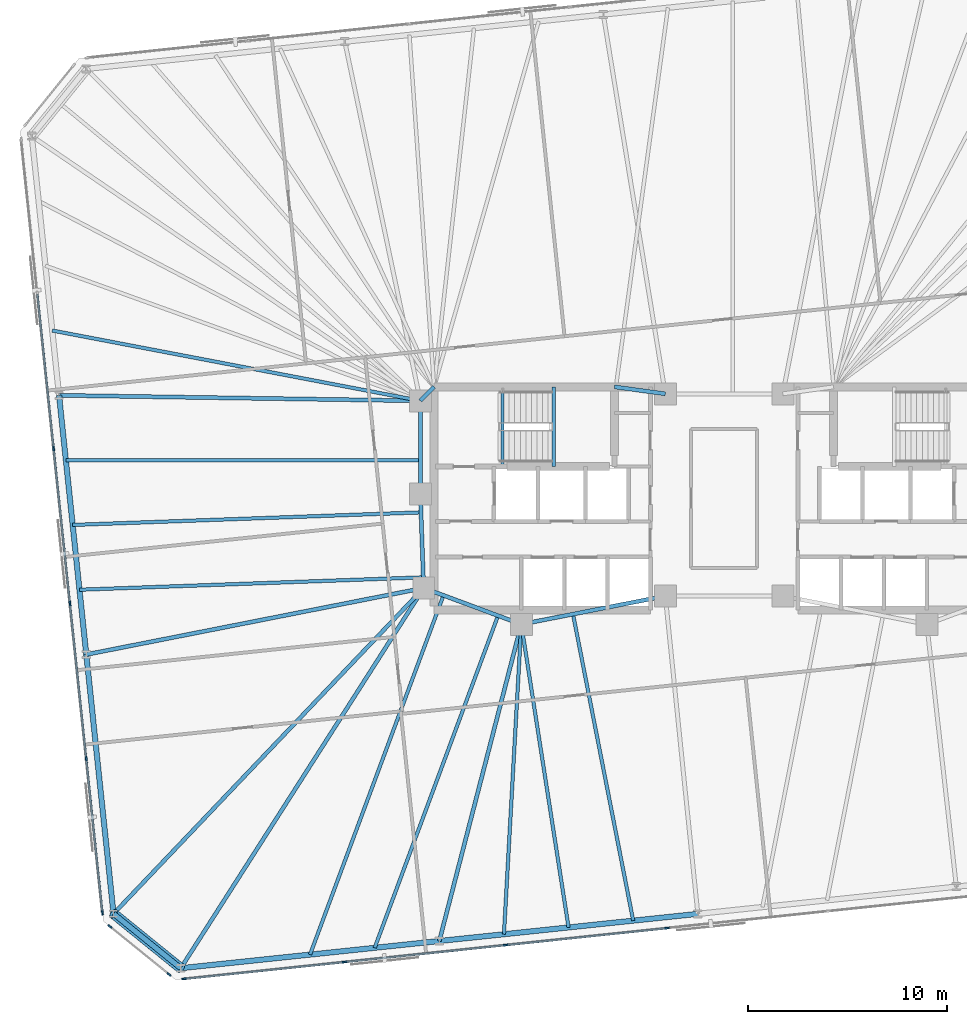
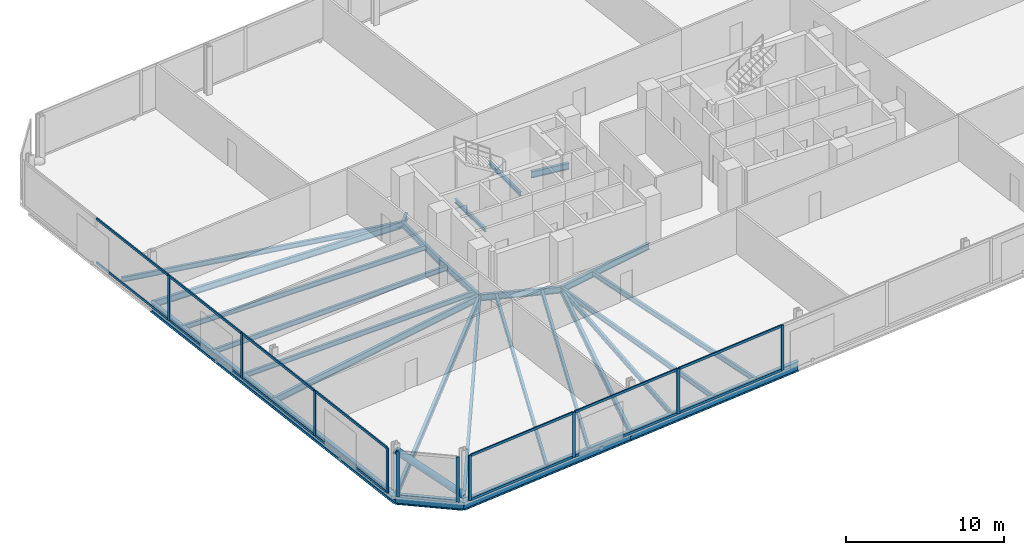
# One storey, part 6 of 18: 27 beams, 25 members, 3 elements without a shape of their own.
"""IFC4 building model written with IfcOpenShell, lengths in metres."""

from ifc_helpers import new_model, si_unit, direction, frame, origin, origin_2d, place, context, subcontext, project, spatial, rectangle, hollow_circle, i_section, extrude, material, material_profile, profile_set, type_object, element, aggregate, save


model = new_model("IFC4")

# Units and contexts
model_context = context("Model", 3, precision=1e-05, world=origin(), true_north=direction((0.0, 1.0)))
body_context = subcontext(model_context, "Body", "Model", "MODEL_VIEW")
ifc_project = project(units=[si_unit("LENGTHUNIT", "METRE"), si_unit("AREAUNIT", "SQUARE_METRE"), si_unit("VOLUMEUNIT", "CUBIC_METRE"), si_unit("PLANEANGLEUNIT", "RADIAN"), si_unit("MASSUNIT", "GRAM", prefix="KILO")], contexts=[model_context])

# Site, building, storey
site_placement = place(None, origin())
site = spatial("IfcSite", under=ifc_project, at=site_placement, CompositionType="ELEMENT")
building_placement = place(site_placement, origin())
building = spatial("IfcBuilding", under=site, at=building_placement, Name="Menara Jurai Vektor", CompositionType="ELEMENT")
storey_placement = place(building_placement, frame((0.0, 0.0, 94.800048828125)))
storey = spatial("IfcBuildingStorey", under=building, at=storey_placement, Name="L23", CompositionType="ELEMENT", Elevation=94.800048828125)

# Curtain wall, members
ifc_material_1 = material(Name="Anodised Pale Aluminium & Low-E Double Glazing", Category="aluminium")
curtain_wall_type = type_object("IfcCurtainWallType", Name="CW-BLK2", PredefinedType="NOTDEFINED", material=ifc_material_1)
curtain_wall_1_placement = place(storey_placement, origin())
curtain_wall_1 = element("IfcCurtainWall", 1, at=curtain_wall_1_placement, inside=storey, type_object=curtain_wall_type, Name="Unitised Curtain Wall L23 F01", PredefinedType="NOTDEFINED")
ifc_material_2 = material(Name="Anodised Pale Aluminium Mullion", Category="aluminium")
ifc_material_profile_1 = material_profile(ifc_material_2, rectangle(XDim=0.090087890625, YDim=0.219970703125, at=origin_2d()), Name="ALU MUL 90x220")
ifc_profile_set_1 = profile_set([ifc_material_profile_1], Name="Anodised Pale Aluminium Mullion")
member_type_1 = type_object("IfcMemberType", Name="CW-BLK2-MUL", PredefinedType="MULLION", material=ifc_profile_set_1)
member_1_placement = place(storey_placement, frame((-27.116455078125, -24.122314453125, 0.0), z_axis=(0.0, 0.0, 1.0), x_axis=(-0.104528634935, 0.994521877325, 0.0)))
member_1 = element("IfcMember", 2, at=member_1_placement, type_object=member_type_1, Name="CW-02 mullion 1", PredefinedType="MULLION", context=body_context, shape_type="SweptSolid", body=[
    extrude(rectangle(XDim=0.090087890625, YDim=0.219970703125, at=origin_2d()), origin(), (0.0, 0.0, 1.0), 3.474853515625),
])
member_2_placement = place(storey_placement, frame((-19.0634765625, -23.27587890625, 0.0), z_axis=(0.0, 0.0, 1.0), x_axis=(-0.104528634935, 0.994521877325, 0.0)))
member_2 = element("IfcMember", 3, at=member_2_placement, type_object=member_type_1, Name="CW-02 mullion 2", PredefinedType="MULLION", context=body_context, shape_type="SweptSolid", body=[
    extrude(rectangle(XDim=0.090087890625, YDim=0.219970703125, at=origin_2d()), origin(), (0.0, 0.0, 1.0), 3.474853515625),
])
member_3_placement = place(storey_placement, frame((-10.965576171875, -22.4248046875, 0.0), z_axis=(0.0, 0.0, 1.0), x_axis=(-0.104528634935, 0.994521877325, 0.0)))
member_3 = element("IfcMember", 4, at=member_3_placement, type_object=member_type_1, Name="CW-02 mullion 3", PredefinedType="MULLION", context=body_context, shape_type="SweptSolid", body=[
    extrude(rectangle(XDim=0.090087890625, YDim=0.219970703125, at=origin_2d()), origin(), (0.0, 0.0, 1.0), 3.474853515625),
])
member_4_placement = place(storey_placement, frame((-2.86767578125, -21.57373046875, 0.0), z_axis=(0.0, 0.0, 1.0), x_axis=(-0.104528634935, 0.994521877325, 0.0)))
member_4 = element("IfcMember", 5, at=member_4_placement, type_object=member_type_1, Name="CW-02 mullion 4", PredefinedType="MULLION", context=body_context, shape_type="SweptSolid", body=[
    extrude(rectangle(XDim=0.090087890625, YDim=0.219970703125, at=origin_2d()), origin(), (0.0, 0.0, 1.0), 3.474853515625),
])

curtain_wall_2_placement = place(storey_placement, origin())
curtain_wall_2 = element("IfcCurtainWall", 6, at=curtain_wall_2_placement, inside=storey, type_object=curtain_wall_type, Name="Unitised Curtain Wall L23 F07", PredefinedType="NOTDEFINED")
member_5_placement = place(storey_placement, frame((-33.66064453125, 2.50341796875, 0.0), z_axis=(0.0, 0.0, 1.0), x_axis=(0.99452177832, 0.104529576902, 0.0)))
member_5 = element("IfcMember", 7, at=member_5_placement, type_object=member_type_1, Name="CW-02 mullion 3", PredefinedType="MULLION", context=body_context, shape_type="SweptSolid", body=[
    extrude(rectangle(XDim=0.090087890625, YDim=0.219970703125, at=origin_2d()), origin(), (0.0, 0.0, 1.0), 3.474853515625),
])
member_6_placement = place(storey_placement, frame((-32.84228515625, -5.28173828125, 0.0), z_axis=(0.0, 0.0, 1.0), x_axis=(0.99452177832, 0.104529576902, 0.0)))
member_6 = element("IfcMember", 8, at=member_6_placement, type_object=member_type_1, Name="CW-02 mullion 4", PredefinedType="MULLION", context=body_context, shape_type="SweptSolid", body=[
    extrude(rectangle(XDim=0.090087890625, YDim=0.219970703125, at=origin_2d()), origin(), (0.0, 0.0, 1.0), 3.474853515625),
])
member_7_placement = place(storey_placement, frame((-32.024169921875, -13.06689453125, 0.0), z_axis=(0.0, 0.0, 1.0), x_axis=(0.99452177832, 0.104529576902, 0.0)))
member_7 = element("IfcMember", 9, at=member_7_placement, type_object=member_type_1, Name="CW-02 mullion 5", PredefinedType="MULLION", context=body_context, shape_type="SweptSolid", body=[
    extrude(rectangle(XDim=0.090087890625, YDim=0.219970703125, at=origin_2d()), origin(), (0.0, 0.0, 1.0), 3.474853515625),
])
member_8_placement = place(storey_placement, frame((-31.21044921875, -20.80712890625, 0.0), z_axis=(0.0, 0.0, 1.0), x_axis=(0.99452177832, 0.104529576902, 0.0)))
member_8 = element("IfcMember", 10, at=member_8_placement, type_object=member_type_1, Name="CW-02 mullion 6", PredefinedType="MULLION", context=body_context, shape_type="SweptSolid", body=[
    extrude(rectangle(XDim=0.090087890625, YDim=0.219970703125, at=origin_2d()), origin(), (0.0, 0.0, 1.0), 3.474853515625),
])

curtain_wall_3_placement = place(storey_placement, origin())
curtain_wall_3 = element("IfcCurtainWall", 11, at=curtain_wall_3_placement, inside=storey, type_object=curtain_wall_type, Name="Unitised Curtain Wall L23 F08", PredefinedType="NOTDEFINED")
member_9_placement = place(storey_placement, frame((-30.8359375, -21.497314453125, 0.0), z_axis=(0.0, 0.0, 1.0), x_axis=(0.629313085353, 0.777151877437, 0.0)))
member_9 = element("IfcMember", 12, at=member_9_placement, type_object=member_type_1, Name="CW-02 mullion 1", PredefinedType="MULLION", context=body_context, shape_type="SweptSolid", body=[
    extrude(rectangle(XDim=0.090087890625, YDim=0.219970703125, at=origin_2d()), origin(), (0.0, 0.0, 1.0), 3.474853515625),
])
member_10_placement = place(storey_placement, frame((-27.869384765625, -23.8994140625, 0.0), z_axis=(0.0, 0.0, 1.0), x_axis=(0.629313085353, 0.777151877437, 0.0)))
member_10 = element("IfcMember", 13, at=member_10_placement, type_object=member_type_1, Name="CW-02 mullion 2", PredefinedType="MULLION", context=body_context, shape_type="SweptSolid", body=[
    extrude(rectangle(XDim=0.090087890625, YDim=0.219970703125, at=origin_2d()), origin(), (0.0, 0.0, 1.0), 3.474853515625),
])
aggregate(curtain_wall_3, [member_9, member_10])

# Member
ifc_material_3 = material(Name="Anodised Pale Aluminium Transom", Category="aluminium")
ifc_material_profile_2 = material_profile(ifc_material_3, rectangle(XDim=0.090087890625, YDim=0.18505859375, at=origin_2d()), Name="ALU TRN 90x185")
ifc_profile_set_2 = profile_set([ifc_material_profile_2], Name="Anodised Pale Aluminium Transom")
member_type_2 = type_object("IfcMemberType", Name="CW-BLK2-TRN", PredefinedType="USERDEFINED", material=ifc_profile_set_2)
member_11_placement = place(storey_placement, frame((-27.07177734375, -24.11767578125, 0.044921875), z_axis=(0.994523147415, 0.10451655015, 0.0), x_axis=(-0.10451655015, 0.994523147415, 0.0)))
member_11 = element("IfcMember", 14, at=member_11_placement, type_object=member_type_2, Name="CW-02 transom 1.1", ObjectType="TRANSOM", PredefinedType="USERDEFINED", context=body_context, shape_type="SweptSolid", body=[
    extrude(rectangle(XDim=0.090087890625, YDim=0.18505859375, at=origin_2d()), origin(), (0.0, 0.0, 1.0), 8.007568359375),
])

member_12_placement = place(storey_placement, frame((-27.07177734375, -24.11767578125, 3.429931640625), z_axis=(0.994523147415, 0.10451655015, 0.0), x_axis=(-0.10451655015, 0.994523147415, 0.0)))
member_12 = element("IfcMember", 15, at=member_12_placement, type_object=member_type_2, Name="CW-02 transom 1.2", ObjectType="TRANSOM", PredefinedType="USERDEFINED", context=body_context, shape_type="SweptSolid", body=[
    extrude(rectangle(XDim=0.090087890625, YDim=0.18505859375, at=origin_2d()), origin(), (0.0, 0.0, 1.0), 8.007568359375),
])

member_13_placement = place(storey_placement, frame((-19.0185546875, -23.271240234375, 0.044921875), z_axis=(0.994520726373, 0.10453958492, 0.0), x_axis=(-0.10453958492, 0.994520726373, 0.0)))
member_13 = element("IfcMember", 16, at=member_13_placement, type_object=member_type_2, Name="CW-02 transom 2.1", ObjectType="TRANSOM", PredefinedType="USERDEFINED", context=body_context, shape_type="SweptSolid", body=[
    extrude(rectangle(XDim=0.090087890625, YDim=0.18505859375, at=origin_2d()), origin(), (0.0, 0.0, 1.0), 8.052490234375),
])

member_14_placement = place(storey_placement, frame((-19.0185546875, -23.271240234375, 3.429931640625), z_axis=(0.994520726373, 0.10453958492, 0.0), x_axis=(-0.10453958492, 0.994520726373, 0.0)))
member_14 = element("IfcMember", 17, at=member_14_placement, type_object=member_type_2, Name="CW-02 transom 2.2", ObjectType="TRANSOM", PredefinedType="USERDEFINED", context=body_context, shape_type="SweptSolid", body=[
    extrude(rectangle(XDim=0.090087890625, YDim=0.18505859375, at=origin_2d()), origin(), (0.0, 0.0, 1.0), 8.052490234375),
])

member_15_placement = place(storey_placement, frame((-10.920654296875, -22.420166015625, 0.044921875), z_axis=(0.994520726373, 0.10453958492, 0.0), x_axis=(-0.10453958492, 0.994520726373, 0.0)))
member_15 = element("IfcMember", 18, at=member_15_placement, type_object=member_type_2, Name="CW-02 transom 3.1", ObjectType="TRANSOM", PredefinedType="USERDEFINED", context=body_context, shape_type="SweptSolid", body=[
    extrude(rectangle(XDim=0.090087890625, YDim=0.18505859375, at=origin_2d()), origin(), (0.0, 0.0, 1.0), 8.052490234375),
])

member_16_placement = place(storey_placement, frame((-10.920654296875, -22.420166015625, 3.429931640625), z_axis=(0.994520726373, 0.10453958492, 0.0), x_axis=(-0.10453958492, 0.994520726373, 0.0)))
member_16 = element("IfcMember", 19, at=member_16_placement, type_object=member_type_2, Name="CW-02 transom 3.2", ObjectType="TRANSOM", PredefinedType="USERDEFINED", context=body_context, shape_type="SweptSolid", body=[
    extrude(rectangle(XDim=0.090087890625, YDim=0.18505859375, at=origin_2d()), origin(), (0.0, 0.0, 1.0), 8.052490234375),
])

aggregate(curtain_wall_1, [member_1, member_2, member_3, member_4, member_11, member_12, member_13, member_14, member_15, member_16])

member_17_placement = place(storey_placement, frame((-34.47412109375, 10.243896484375, 0.044921875), z_axis=(0.104525476786, -0.994522209256, 0.0), x_axis=(0.994522209256, 0.104525476786, 0.0)))
member_17 = element("IfcMember", 20, at=member_17_placement, type_object=member_type_2, Name="CW-02 transom 2.1", ObjectType="TRANSOM", PredefinedType="USERDEFINED", context=body_context, shape_type="SweptSolid", body=[
    extrude(rectangle(XDim=0.090087890625, YDim=0.18505859375, at=origin_2d()), origin(), (0.0, 0.0, 1.0), 7.73828125),
])

member_18_placement = place(storey_placement, frame((-34.47412109375, 10.243896484375, 3.429931640625), z_axis=(0.104525476786, -0.994522209256, 0.0), x_axis=(0.994522209256, 0.104525476786, 0.0)))
member_18 = element("IfcMember", 21, at=member_18_placement, type_object=member_type_2, Name="CW-02 transom 2.2", ObjectType="TRANSOM", PredefinedType="USERDEFINED", context=body_context, shape_type="SweptSolid", body=[
    extrude(rectangle(XDim=0.090087890625, YDim=0.18505859375, at=origin_2d()), origin(), (0.0, 0.0, 1.0), 7.73828125),
])

member_19_placement = place(storey_placement, frame((-33.65576171875, 2.458740234375, 0.044921875), z_axis=(0.104525476786, -0.994522209256, 0.0), x_axis=(0.994522209256, 0.104525476786, 0.0)))
member_19 = element("IfcMember", 22, at=member_19_placement, type_object=member_type_2, Name="CW-02 transom 3.1", ObjectType="TRANSOM", PredefinedType="USERDEFINED", context=body_context, shape_type="SweptSolid", body=[
    extrude(rectangle(XDim=0.090087890625, YDim=0.18505859375, at=origin_2d()), origin(), (0.0, 0.0, 1.0), 7.73828125),
])

member_20_placement = place(storey_placement, frame((-33.65576171875, 2.458740234375, 3.429931640625), z_axis=(0.104525476786, -0.994522209256, 0.0), x_axis=(0.994522209256, 0.104525476786, 0.0)))
member_20 = element("IfcMember", 23, at=member_20_placement, type_object=member_type_2, Name="CW-02 transom 3.2", ObjectType="TRANSOM", PredefinedType="USERDEFINED", context=body_context, shape_type="SweptSolid", body=[
    extrude(rectangle(XDim=0.090087890625, YDim=0.18505859375, at=origin_2d()), origin(), (0.0, 0.0, 1.0), 7.73828125),
])

member_21_placement = place(storey_placement, frame((-32.837646484375, -5.326416015625, 0.044921875), z_axis=(0.104525476786, -0.994522209256, 0.0), x_axis=(0.994522209256, 0.104525476786, 0.0)))
member_21 = element("IfcMember", 24, at=member_21_placement, type_object=member_type_2, Name="CW-02 transom 4.1", ObjectType="TRANSOM", PredefinedType="USERDEFINED", context=body_context, shape_type="SweptSolid", body=[
    extrude(rectangle(XDim=0.090087890625, YDim=0.18505859375, at=origin_2d()), origin(), (0.0, 0.0, 1.0), 7.73828125),
])

member_22_placement = place(storey_placement, frame((-32.837646484375, -5.326416015625, 3.429931640625), z_axis=(0.104525476786, -0.994522209256, 0.0), x_axis=(0.994522209256, 0.104525476786, 0.0)))
member_22 = element("IfcMember", 25, at=member_22_placement, type_object=member_type_2, Name="CW-02 transom 4.2", ObjectType="TRANSOM", PredefinedType="USERDEFINED", context=body_context, shape_type="SweptSolid", body=[
    extrude(rectangle(XDim=0.090087890625, YDim=0.18505859375, at=origin_2d()), origin(), (0.0, 0.0, 1.0), 7.73828125),
])

member_23_placement = place(storey_placement, frame((-32.019287109375, -13.111572265625, 0.044921875), z_axis=(0.104536105602, -0.994521092097, 0.0), x_axis=(0.994521092097, 0.104536105602, 0.0)))
member_23 = element("IfcMember", 26, at=member_23_placement, type_object=member_type_2, Name="CW-02 transom 5.1", ObjectType="TRANSOM", PredefinedType="USERDEFINED", context=body_context, shape_type="SweptSolid", body=[
    extrude(rectangle(XDim=0.090087890625, YDim=0.18505859375, at=origin_2d()), origin(), (0.0, 0.0, 1.0), 7.693115234375),
])

member_24_placement = place(storey_placement, frame((-32.019287109375, -13.111572265625, 3.429931640625), z_axis=(0.104536105602, -0.994521092097, 0.0), x_axis=(0.994521092097, 0.104536105602, 0.0)))
member_24 = element("IfcMember", 27, at=member_24_placement, type_object=member_type_2, Name="CW-02 transom 5.2", ObjectType="TRANSOM", PredefinedType="USERDEFINED", context=body_context, shape_type="SweptSolid", body=[
    extrude(rectangle(XDim=0.090087890625, YDim=0.18505859375, at=origin_2d()), origin(), (0.0, 0.0, 1.0), 7.693115234375),
])

aggregate(curtain_wall_2, [member_5, member_6, member_7, member_8, member_17, member_18, member_19, member_20, member_21, member_22, member_23, member_24])

# Beams
ifc_material_4 = material(Name="Steel S355", Category="steel")
ifc_material_profile_3 = material_profile(ifc_material_4, i_section(OverallWidth=0.199951171875, OverallDepth=0.5, WebThickness=0.011962890625, FlangeThickness=0.02001953125, at=origin_2d()), Name="PG 500x200x96")
ifc_profile_set_3 = profile_set([ifc_material_profile_3], Name="Steel S355")
beam_type_1 = type_object("IfcBeamType", Name="STR-BM-500", PredefinedType="BEAM", material=ifc_profile_set_3)
beam_1_placement = place(storey_placement, frame((-15.25, 4.89990234375, -0.47509765625), z_axis=(0.701871936926, 0.712303154672, 0.0), x_axis=(-0.712303154672, 0.701871936926, 0.0)))
element("IfcBeam", 28, at=beam_1_placement, inside=storey, type_object=beam_type_1, Name="Core Ring Header Girder L23-CHW-N1", PredefinedType="BEAM", context=body_context, shape_type="SweptSolid", body=[
    extrude(i_section(OverallWidth=0.199951171875, OverallDepth=0.5, WebThickness=0.011962890625, FlangeThickness=0.02001953125, at=origin_2d()), origin(), (0.0, 0.0, 1.0), 0.98291015625),
])
beam_2_placement = place(storey_placement, frame((-5.5, 5.60009765625, -0.47509765625), z_axis=(0.990706818608, -0.136014703483, 0.0), x_axis=(0.136014703483, 0.990706818608, 0.0)))
element("IfcBeam", 29, at=beam_2_placement, inside=storey, type_object=beam_type_1, Name="Core Ring Header Girder L23-CHW-N2", PredefinedType="BEAM", context=body_context, shape_type="SweptSolid", body=[
    extrude(i_section(OverallWidth=0.199951171875, OverallDepth=0.5, WebThickness=0.011962890625, FlangeThickness=0.02001953125, at=origin_2d()), origin(), (0.0, 0.0, 1.0), 2.573974609375),
])
beam_3_placement = place(storey_placement, frame((-15.25, 0.219970703125, -0.47509765625), z_axis=(0.0, 1.0, 0.0), x_axis=(-1.0, 0.0, 0.0)))
element("IfcBeam", 30, at=beam_3_placement, inside=storey, type_object=beam_type_1, Name="Core Ring Header Girder L23-CHW-W1", PredefinedType="BEAM", context=body_context, shape_type="SweptSolid", body=[
    extrude(i_section(OverallWidth=0.199951171875, OverallDepth=0.5, WebThickness=0.011962890625, FlangeThickness=0.02001953125, at=origin_2d()), origin(), (0.0, 0.0, 1.0), 4.679931640625),
])
beam_4_placement = place(storey_placement, frame((-15.080078125, -4.5, -0.47509765625), z_axis=(-0.035977314146, 0.999352606874, 0.0), x_axis=(-0.999352606874, -0.035977314146, 0.0)))
element("IfcBeam", 31, at=beam_4_placement, inside=storey, type_object=beam_type_1, Name="Core Ring Header Girder L23-CHW-W2", PredefinedType="BEAM", context=body_context, shape_type="SweptSolid", body=[
    extrude(i_section(OverallWidth=0.199951171875, OverallDepth=0.5, WebThickness=0.011962890625, FlangeThickness=0.02001953125, at=origin_2d()), origin(), (0.0, 0.0, 1.0), 4.72314453125),
])
beam_5_placement = place(storey_placement, frame((-15.080078125, -4.5, -0.47509765625), z_axis=(0.937424400887, -0.348188874925, 0.0), x_axis=(0.348188874925, 0.937424400887, 0.0)))
element("IfcBeam", 32, at=beam_5_placement, inside=storey, type_object=beam_type_1, Name="Core Ring Header Girder L23-CHW-S1", PredefinedType="BEAM", context=body_context, shape_type="SweptSolid", body=[
    extrude(i_section(OverallWidth=0.199951171875, OverallDepth=0.5, WebThickness=0.011962890625, FlangeThickness=0.02001953125, at=origin_2d()), origin(), (0.0, 0.0, 1.0), 5.227294921875),
])
beam_6_placement = place(storey_placement, frame((-10.179931640625, -6.320068359375, -0.47509765625), z_axis=(0.981249044334, 0.192744164614, 0.0), x_axis=(-0.192744164614, 0.981249044334, 0.0)))
element("IfcBeam", 33, at=beam_6_placement, inside=storey, type_object=beam_type_1, Name="Core Ring Header Girder L23-CHW-S2", PredefinedType="BEAM", context=body_context, shape_type="SweptSolid", body=[
    extrude(i_section(OverallWidth=0.199951171875, OverallDepth=0.5, WebThickness=0.011962890625, FlangeThickness=0.02001953125, at=origin_2d()), origin(), (0.0, 0.0, 1.0), 7.3681640625),
])
beam_7_placement = place(storey_placement, frame((-27.2763671875, -23.586181640625, -0.47509765625), z_axis=(0.538462629542, 0.842649391258, 0.0), x_axis=(-0.842649391258, 0.538462629542, 0.0)))
element("IfcBeam", 34, at=beam_7_placement, inside=storey, type_object=beam_type_1, Name="Radial Floor Girder L23-S1", PredefinedType="BEAM", context=body_context, shape_type="SweptSolid", body=[
    extrude(i_section(OverallWidth=0.199951171875, OverallDepth=0.5, WebThickness=0.011962890625, FlangeThickness=0.02001953125, at=origin_2d()), origin(), (0.0, 0.0, 1.0), 22.650146484375),
])
beam_8_placement = place(storey_placement, frame((-14.296630859375, -22.221923828125, -0.47509765625), z_axis=(0.250619644892, 0.968085633399, 0.0), x_axis=(-0.968085633399, 0.250619644892, 0.0)))
element("IfcBeam", 35, at=beam_8_placement, inside=storey, type_object=beam_type_1, Name="Radial Floor Girder L23-S2", PredefinedType="BEAM", context=body_context, shape_type="SweptSolid", body=[
    extrude(i_section(OverallWidth=0.199951171875, OverallDepth=0.5, WebThickness=0.011962890625, FlangeThickness=0.02001953125, at=origin_2d()), origin(), (0.0, 0.0, 1.0), 16.426025390625),
])
beam_9_placement = place(storey_placement, frame((-33.38818359375, 5.175048828125, -0.47509765625), z_axis=(0.999884963566, -0.015167716827, 0.0), x_axis=(0.015167716827, 0.999884963566, 0.0)))
element("IfcBeam", 36, at=beam_9_placement, inside=storey, type_object=beam_type_1, Name="Radial Floor Girder L23-W2", PredefinedType="BEAM", context=body_context, shape_type="SweptSolid", body=[
    extrude(i_section(OverallWidth=0.199951171875, OverallDepth=0.5, WebThickness=0.011962890625, FlangeThickness=0.02001953125, at=origin_2d()), origin(), (0.0, 0.0, 1.0), 18.140380859375),
])
beam_10_placement = place(storey_placement, frame((-32.0205078125, -7.83837890625, -0.47509765625), z_axis=(0.98113039493, 0.193347221714, 0.0), x_axis=(-0.193347221714, 0.98113039493, 0.0)))
element("IfcBeam", 37, at=beam_10_placement, inside=storey, type_object=beam_type_1, Name="Radial Floor Girder L23-W3", PredefinedType="BEAM", context=body_context, shape_type="SweptSolid", body=[
    extrude(i_section(OverallWidth=0.199951171875, OverallDepth=0.5, WebThickness=0.011962890625, FlangeThickness=0.02001953125, at=origin_2d()), origin(), (0.0, 0.0, 1.0), 17.266357421875),
])
beam_11_placement = place(storey_placement, frame((-30.65283203125, -20.85205078125, -0.47509765625), z_axis=(0.689640593718, 0.724151815227, 0.0), x_axis=(-0.724151815227, 0.689640593718, 0.0)))
element("IfcBeam", 38, at=beam_11_placement, inside=storey, type_object=beam_type_1, Name="Radial Floor Girder L23-W4", PredefinedType="BEAM", context=body_context, shape_type="SweptSolid", body=[
    extrude(i_section(OverallWidth=0.199951171875, OverallDepth=0.5, WebThickness=0.011962890625, FlangeThickness=0.02001953125, at=origin_2d()), origin(), (0.0, 0.0, 1.0), 22.5810546875),
])

# Member
ifc_material_5 = material(Name="Steel S460", Category="steel")
ifc_material_profile_4 = material_profile(ifc_material_5, hollow_circle(Radius=0.25390625, WallThickness=0.02001953125, at=origin_2d()), Name="CHS 508x20")
ifc_profile_set_4 = profile_set([ifc_material_profile_4], Name="Steel S460")
member_type_3 = type_object("IfcMemberType", Name="STR-BR-508", PredefinedType="BRACE", material=ifc_profile_set_4)
member_25_placement = place(storey_placement, frame((-27.2763671875, -23.586181640625, 0.14990234375), z_axis=(-0.641223283484, 0.519237856236, 0.564999778203), x_axis=(-0.629309762217, -0.777154568396, 0.0)))
element("IfcMember", 39, at=member_25_placement, inside=storey, type_object=member_type_3, Name="Exoskeleton Corner Brace L23-4", PredefinedType="BRACE", context=body_context, shape_type="SweptSolid", body=[
    extrude(hollow_circle(Radius=0.25390625, WallThickness=0.02001953125, at=origin_2d()), origin(), (0.0, 0.0, 1.0), 5.265625),
])

# Beams
ifc_material_profile_5 = material_profile(ifc_material_4, i_section(OverallWidth=0.175048828125, OverallDepth=0.3798828125, WebThickness=0.010009765625, FlangeThickness=0.014892578125, at=origin_2d()), Name="PG 380x175x58")
ifc_profile_set_5 = profile_set([ifc_material_profile_5], Name="Steel S355")
beam_type_2 = type_object("IfcBeamType", Name="STR-JS-380", PredefinedType="JOIST", material=ifc_profile_set_5)
beam_12_placement = place(storey_placement, frame((-20.78662109375, -22.904052734375, -0.4150390625), z_axis=(0.34819162731, 0.93742337856, 0.0), x_axis=(-0.93742337856, 0.34819162731, 0.0)))
element("IfcBeam", 40, at=beam_12_placement, inside=storey, type_object=beam_type_2, Name="Radial Secondary Floor Joist L23-JS01", PredefinedType="JOIST", context=body_context, shape_type="SweptSolid", body=[
    extrude(i_section(OverallWidth=0.175048828125, OverallDepth=0.3798828125, WebThickness=0.010009765625, FlangeThickness=0.014892578125, at=origin_2d()), origin(), (0.0, 0.0, 1.0), 19.2392578125),
])
beam_13_placement = place(storey_placement, frame((-17.54150390625, -22.56298828125, -0.4150390625), z_axis=(0.348184462185, 0.937426039906, 0.0), x_axis=(-0.937426039906, 0.348184462185, 0.0)))
element("IfcBeam", 41, at=beam_13_placement, inside=storey, type_object=beam_type_2, Name="Radial Secondary Floor Joist L23-JS02", PredefinedType="JOIST", context=body_context, shape_type="SweptSolid", body=[
    extrude(i_section(OverallWidth=0.175048828125, OverallDepth=0.3798828125, WebThickness=0.010009765625, FlangeThickness=0.014892578125, at=origin_2d()), origin(), (0.0, 0.0, 1.0), 17.789794921875),
])
beam_14_placement = place(storey_placement, frame((-11.0517578125, -21.880859375, -0.4150390625), z_axis=(0.055939382302, 0.998434166837, 0.0), x_axis=(-0.998434166837, 0.055939382302, 0.0)))
element("IfcBeam", 42, at=beam_14_placement, inside=storey, type_object=beam_type_2, Name="Radial Secondary Floor Joist L23-JS03", PredefinedType="JOIST", context=body_context, shape_type="SweptSolid", body=[
    extrude(i_section(OverallWidth=0.175048828125, OverallDepth=0.3798828125, WebThickness=0.010009765625, FlangeThickness=0.014892578125, at=origin_2d()), origin(), (0.0, 0.0, 1.0), 15.585205078125),
])
beam_15_placement = place(storey_placement, frame((-7.806884765625, -21.539794921875, -0.4150390625), z_axis=(-0.154057765645, 0.988061842622, 0.0), x_axis=(-0.988061842622, -0.154057765645, 0.0)))
element("IfcBeam", 43, at=beam_15_placement, inside=storey, type_object=beam_type_2, Name="Radial Secondary Floor Joist L23-JS04", PredefinedType="JOIST", context=body_context, shape_type="SweptSolid", body=[
    extrude(i_section(OverallWidth=0.175048828125, OverallDepth=0.3798828125, WebThickness=0.010009765625, FlangeThickness=0.014892578125, at=origin_2d()), origin(), (0.0, 0.0, 1.0), 15.403564453125),
])
beam_16_placement = place(storey_placement, frame((-4.56201171875, -21.19873046875, -0.4150390625), z_axis=(-0.19271398667, 0.981254971627, 0.0), x_axis=(-0.981254971627, -0.19271398667, 0.0)))
element("IfcBeam", 44, at=beam_16_placement, inside=storey, type_object=beam_type_2, Name="Radial Secondary Floor Joist L23-JS05", PredefinedType="JOIST", context=body_context, shape_type="SweptSolid", body=[
    extrude(i_section(OverallWidth=0.175048828125, OverallDepth=0.3798828125, WebThickness=0.010009765625, FlangeThickness=0.014892578125, at=origin_2d()), origin(), (0.0, 0.0, 1.0), 15.682373046875),
])
beam_17_placement = place(storey_placement, frame((-33.730224609375, 8.428466796875, -0.4150390625), z_axis=(0.982255215221, -0.187549172674, 0.0), x_axis=(0.187549172674, 0.982255215221, 0.0)))
element("IfcBeam", 45, at=beam_17_placement, inside=storey, type_object=beam_type_2, Name="Radial Secondary Floor Joist L23-JS38", PredefinedType="JOIST", context=body_context, shape_type="SweptSolid", body=[
    extrude(i_section(OverallWidth=0.175048828125, OverallDepth=0.3798828125, WebThickness=0.010009765625, FlangeThickness=0.014892578125, at=origin_2d()), origin(), (0.0, 0.0, 1.0), 18.81396484375),
])
beam_18_placement = place(storey_placement, frame((-33.04638671875, 1.921630859375, -0.4150390625), z_axis=(1.0, 0.0, 0.0), x_axis=(0.0, 1.0, 0.0)))
element("IfcBeam", 46, at=beam_18_placement, inside=storey, type_object=beam_type_2, Name="Radial Secondary Floor Joist L23-JS39", PredefinedType="JOIST", context=body_context, shape_type="SweptSolid", body=[
    extrude(i_section(OverallWidth=0.175048828125, OverallDepth=0.3798828125, WebThickness=0.010009765625, FlangeThickness=0.014892578125, at=origin_2d()), origin(), (0.0, 0.0, 1.0), 17.79638671875),
])
beam_19_placement = place(storey_placement, frame((-32.704345703125, -1.331787109375, -0.4150390625), z_axis=(0.999351948809, 0.035995588769, 0.0), x_axis=(-0.035995588769, 0.999351948809, 0.0)))
element("IfcBeam", 47, at=beam_19_placement, inside=storey, type_object=beam_type_2, Name="Radial Secondary Floor Joist L23-JS40", PredefinedType="JOIST", context=body_context, shape_type="SweptSolid", body=[
    extrude(i_section(OverallWidth=0.175048828125, OverallDepth=0.3798828125, WebThickness=0.010009765625, FlangeThickness=0.014892578125, at=origin_2d()), origin(), (0.0, 0.0, 1.0), 17.498779296875),
])
beam_20_placement = place(storey_placement, frame((-32.362548828125, -4.5849609375, -0.4150390625), z_axis=(0.999352405578, 0.03598290517, 0.0), x_axis=(-0.03598290517, 0.999352405578, 0.0)))
element("IfcBeam", 48, at=beam_20_placement, inside=storey, type_object=beam_type_2, Name="Radial Secondary Floor Joist L23-JS41", PredefinedType="JOIST", context=body_context, shape_type="SweptSolid", body=[
    extrude(i_section(OverallWidth=0.175048828125, OverallDepth=0.3798828125, WebThickness=0.010009765625, FlangeThickness=0.014892578125, at=origin_2d()), origin(), (0.0, 0.0, 1.0), 17.2744140625),
])
ifc_material_profile_6 = material_profile(ifc_material_4, i_section(OverallWidth=0.1650390625, OverallDepth=0.302978515625, WebThickness=0.006103515625, FlangeThickness=0.010009765625, FilletRadius=0.009033203125, at=origin_2d()), Name="UKB 305x165x40")
ifc_profile_set_6 = profile_set([ifc_material_profile_6], Name="Steel S355")
beam_type_3 = type_object("IfcBeamType", Name="STR-LN-305", PredefinedType="LINTEL", material=ifc_profile_set_6)
beam_21_placement = place(storey_placement, frame((-11.1201171875, 1.60009765625, -0.37646484375), z_axis=(0.0, 1.0, 0.0), x_axis=(-1.0, 0.0, 0.0)))
element("IfcBeam", 49, at=beam_21_placement, inside=storey, type_object=beam_type_3, Name="Stair Well Floor Trimmer ST1 L23", PredefinedType="LINTEL", context=body_context, shape_type="SweptSolid", body=[
    extrude(i_section(OverallWidth=0.1650390625, OverallDepth=0.302978515625, WebThickness=0.006103515625, FlangeThickness=0.010009765625, FilletRadius=0.009033203125, at=origin_2d()), origin(), (0.0, 0.0, 1.0), 3.81982421875),
])
beam_22_placement = place(storey_placement, frame((-8.550048828125, 1.60009765625, 1.49853515625), z_axis=(0.0, 1.0, 0.0), x_axis=(-1.0, 0.0, 0.0)))
element("IfcBeam", 50, at=beam_22_placement, inside=storey, type_object=beam_type_3, Name="Stair Half-Landing Nosing Trimmer ST1-1 L23", PredefinedType="LINTEL", context=body_context, shape_type="SweptSolid", body=[
    extrude(i_section(OverallWidth=0.1650390625, OverallDepth=0.302978515625, WebThickness=0.006103515625, FlangeThickness=0.010009765625, FilletRadius=0.009033203125, at=origin_2d()), origin(), (0.0, 0.0, 1.0), 4.0),
])
ifc_material_profile_7 = material_profile(ifc_material_5, i_section(OverallWidth=0.26806640625, OverallDepth=0.77001953125, WebThickness=0.01611328125, FlangeThickness=0.02490234375, FilletRadius=0.01708984375, at=origin_2d()), Name="UKB 762x267x197")
ifc_profile_set_7 = profile_set([ifc_material_profile_7], Name="Steel S460")
beam_type_4 = type_object("IfcBeamType", Name="STR-SP-762", PredefinedType="SPANDREL", material=ifc_profile_set_7)
for number, where, z_axis, x_axis, name in (
    (51, (-27.2763671875, -23.586181640625, -0.610107421875), (0.994521636083, 0.104530930169, 0.0), (-0.104530930169, 0.994521636083, 0.0), "Exoskeleton Spandrel Beam L23-01"),
    (52, (-14.296630859375, -22.221923828125, -0.610107421875), (0.994523580592, 0.104512428191, 0.0), (-0.104512428191, 0.994523580592, 0.0), "Exoskeleton Spandrel Beam L23-02"),
):
    element("IfcBeam", number, at=place(storey_placement, frame(where, z_axis=z_axis, x_axis=x_axis)), inside=storey, type_object=beam_type_4, Name=name, PredefinedType="SPANDREL", context=body_context, shape_type="SweptSolid", body=[
        extrude(i_section(OverallWidth=0.26806640625, OverallDepth=0.77001953125, WebThickness=0.01611328125, FlangeThickness=0.02490234375, FilletRadius=0.01708984375, at=origin_2d()), origin(), (0.0, 0.0, 1.0), 13.05126953125),
    ])
beam_23_placement = place(storey_placement, frame((-33.38818359375, 5.175048828125, -0.610107421875), z_axis=(0.104521615846, -0.994522615037, 0.0), x_axis=(0.994522615037, 0.104521615846, 0.0)))
element("IfcBeam", 53, at=beam_23_placement, inside=storey, type_object=beam_type_4, Name="Exoskeleton Spandrel Beam L23-18", PredefinedType="SPANDREL", context=body_context, shape_type="SweptSolid", body=[
    extrude(i_section(OverallWidth=0.26806640625, OverallDepth=0.77001953125, WebThickness=0.01611328125, FlangeThickness=0.02490234375, FilletRadius=0.01708984375, at=origin_2d()), origin(), (0.0, 0.0, 1.0), 13.085205078125),
])
beam_24_placement = place(storey_placement, frame((-32.0205078125, -7.83837890625, -0.610107421875), z_axis=(0.104519676409, -0.994522818865, 0.0), x_axis=(0.994522818865, 0.104519676409, 0.0)))
element("IfcBeam", 54, at=beam_24_placement, inside=storey, type_object=beam_type_4, Name="Exoskeleton Spandrel Beam L23-19", PredefinedType="SPANDREL", context=body_context, shape_type="SweptSolid", body=[
    extrude(i_section(OverallWidth=0.26806640625, OverallDepth=0.77001953125, WebThickness=0.01611328125, FlangeThickness=0.02490234375, FilletRadius=0.01708984375, at=origin_2d()), origin(), (0.0, 0.0, 1.0), 13.08544921875),
])
beam_25_placement = place(storey_placement, frame((-30.65283203125, -20.85205078125, -0.610107421875), z_axis=(0.777154568396, -0.629309762217, 0.0), x_axis=(0.629309762217, 0.777154568396, 0.0)))
element("IfcBeam", 55, at=beam_25_placement, inside=storey, type_object=beam_type_4, Name="Exoskeleton Spandrel Beam L23-20", PredefinedType="SPANDREL", context=body_context, shape_type="SweptSolid", body=[
    extrude(i_section(OverallWidth=0.26806640625, OverallDepth=0.77001953125, WebThickness=0.01611328125, FlangeThickness=0.02490234375, FilletRadius=0.01708984375, at=origin_2d()), origin(), (0.0, 0.0, 1.0), 4.3447265625),
])

save(model, "model.ifc")
